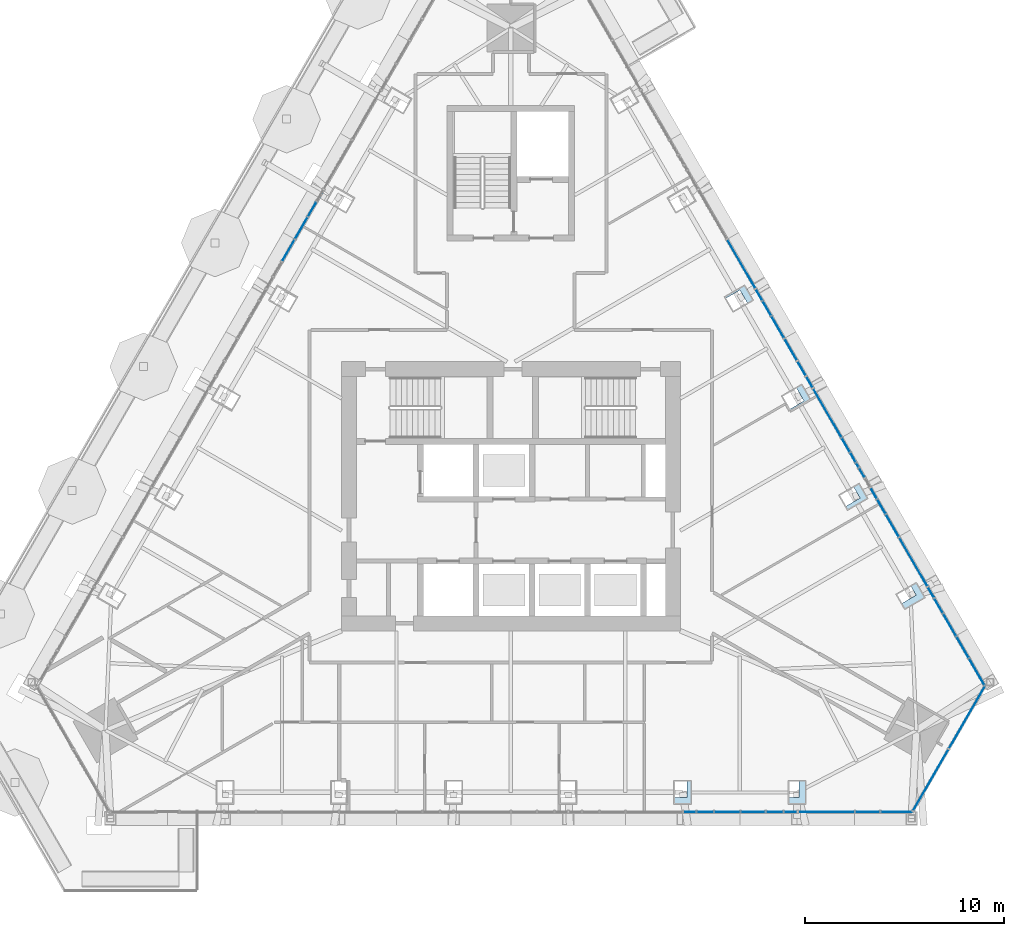
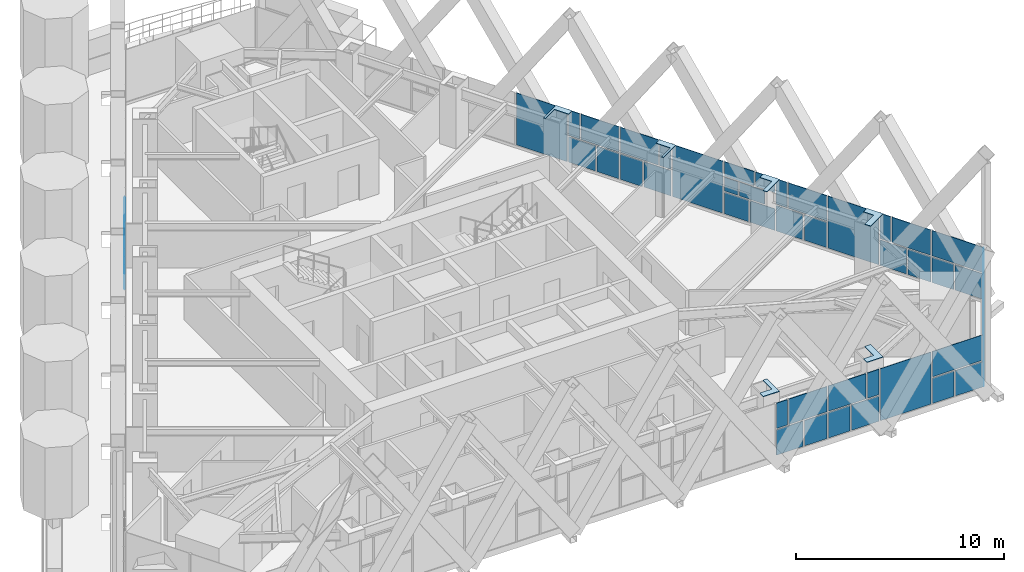
# One storey, part 14 of 24: 52 plates, 4 elements without a shape of their own.
"""IFC4 building model written with IfcOpenShell, lengths in metres."""

import ifcopenshell
import ifcopenshell.guid

model = None  # the IFC model being written
_history = None  # IfcOwnerHistory: only IFC2X3 demands one
_inside = {}  # id of a spatial element -> (the spatial element, [elements in it])
_under = {}  # id of a project, library or spatial element -> (it, [spatial elements below it])
_declared = {}  # id of a project -> (the project, [libraries it declares])
_typed = {}  # id of a type object -> (the type object, [elements of that type])
_made_of = {}  # id of a material, layer set ... -> (it, [elements and type objects made of it])


def new_model(schema):
    """Start an empty IFC model of exactly this schema.

    Asked for "IFC4X3", IfcOpenShell would pick the latest addendum, in which some entities
    have other attributes; the version numbers below select the first issue.
    IFC2X3 requires an IfcOwnerHistory on every rooted entity: one is made here for all.
    """
    global model, _history
    if schema == "IFC4X3":
        model = ifcopenshell.file(schema_version=(4, 3, 0, 0))
    else:
        model = ifcopenshell.file(schema=schema)
    _inside.clear()
    _under.clear()
    _declared.clear()
    _typed.clear()
    _made_of.clear()
    _history = None
    if model.schema == "IFC2X3":
        org = make("IfcOrganization", Name="unknown")
        user = make(
            "IfcPersonAndOrganization",
            ThePerson=make("IfcPerson", FamilyName="unknown"),
            TheOrganization=org,
        )
        app = make(
            "IfcApplication",
            ApplicationDeveloper=org,
            Version="unknown",
            ApplicationFullName="unknown",
            ApplicationIdentifier="unknown",
        )
        _history = make(
            "IfcOwnerHistory",
            OwningUser=user,
            OwningApplication=app,
            ChangeAction="ADDED",
            CreationDate=0,
        )
    return model


def make(cls, **values):
    """One entity of the class cls with the attributes given. An attribute that is None is left unset."""
    return model.create_entity(
        cls, **{name: value for name, value in values.items() if value is not None}
    )


def rooted(cls, **values):
    """An entity with a GlobalId (a new one), such as an element, a storey or a relation."""
    return make(cls, GlobalId=ifcopenshell.guid.new(), OwnerHistory=_history, **values)


def si_unit(unit_type, name, prefix=None):
    """IfcSIUnit, for example si_unit("LENGTHUNIT", "METRE", prefix="MILLI")."""
    return make("IfcSIUnit", UnitType=unit_type, Prefix=prefix, Name=name)


def assignment(units):
    """IfcUnitAssignment: the units of a project."""
    return None if units is None else make("IfcUnitAssignment", Units=units)


def point(xyz):
    """IfcCartesianPoint."""
    return None if xyz is None else make("IfcCartesianPoint", Coordinates=xyz)


def direction(xyz):
    """IfcDirection."""
    return None if xyz is None else make("IfcDirection", DirectionRatios=xyz)


def frame(location, z_axis=None, x_axis=None):
    """IfcAxis2Placement3D, a coordinate frame: its origin and axes. An axis left out is left unset."""
    return make(
        "IfcAxis2Placement3D",
        Location=point(location),
        Axis=direction(z_axis),
        RefDirection=direction(x_axis),
    )


def origin():
    """The frame at (0, 0, 0) with its axes left unset."""
    return frame((0.0, 0.0, 0.0))


def place(relative_to, where):
    """IfcLocalPlacement: puts the frame where relative to a parent placement (None: the world)."""
    return make(
        "IfcLocalPlacement", PlacementRelTo=relative_to, RelativePlacement=where
    )


def context(
    kind, dimensions, precision=None, world=None, true_north=None, identifier=None
):
    """IfcGeometricRepresentationContext, for example the 3D "Model" context."""
    return make(
        "IfcGeometricRepresentationContext",
        ContextIdentifier=identifier,
        ContextType=kind,
        CoordinateSpaceDimension=dimensions,
        Precision=precision,
        WorldCoordinateSystem=world,
        TrueNorth=true_north,
    )


def subcontext(parent, identifier, kind, view, scale=None):
    """IfcGeometricRepresentationSubContext, for example "Body" below "Model"."""
    return make(
        "IfcGeometricRepresentationSubContext",
        ContextIdentifier=identifier,
        ContextType=kind,
        ParentContext=parent,
        TargetScale=scale,
        TargetView=view,
    )


def project(units=None, contexts=None):
    """IfcProject with its units and contexts."""
    return rooted(
        "IfcProject",
        Name="project",
        RepresentationContexts=contexts,
        UnitsInContext=assignment(units),
    )


def spatial(cls, under=None, at=None, **own):
    """A site, building, storey or space (cls), placed at a placement, below another one or the project."""
    s = rooted(cls, ObjectPlacement=at, **own)
    if under is not None:
        _under.setdefault(under.id(), (under, []))[1].append(s)
    return s


def polyline(points):
    """IfcPolyline through the points."""
    return make("IfcPolyline", Points=[point(p) for p in points])


def outline(outer, holes=None, kind="AREA"):
    """IfcArbitraryClosedProfileDef: a profile drawn as a closed curve; with holes, ...WithVoids."""
    if holes is None:
        return make("IfcArbitraryClosedProfileDef", ProfileType=kind, OuterCurve=outer)
    return make(
        "IfcArbitraryProfileDefWithVoids",
        ProfileType=kind,
        OuterCurve=outer,
        InnerCurves=holes,
    )


def extrude(swept, where, along, depth):
    """IfcExtrudedAreaSolid: the profile swept, set in the frame where, extruded along a direction by depth."""
    return make(
        "IfcExtrudedAreaSolid",
        SweptArea=swept,
        Position=where,
        ExtrudedDirection=direction(along),
        Depth=depth,
    )


def shape(context_of_items, identifier, shape_type, items):
    """IfcShapeRepresentation: the items that make up one representation, for example the "Body"."""
    return make(
        "IfcShapeRepresentation",
        ContextOfItems=context_of_items,
        RepresentationIdentifier=identifier,
        RepresentationType=shape_type,
        Items=items,
    )


def material(Name=None, Category=None):
    """IfcMaterial."""
    return make("IfcMaterial", Name=Name, Category=Category)


def layer(
    of_material, thickness, ventilated=None, Name=None, Category=None, Priority=None
):
    """IfcMaterialLayer: one layer of a wall or slab, of a material (None: an air gap)."""
    return make(
        "IfcMaterialLayer",
        Material=of_material,
        LayerThickness=thickness,
        IsVentilated=ventilated,
        Name=Name,
        Category=Category,
        Priority=Priority,
    )


def layer_set(layers, Name=None):
    """IfcMaterialLayerSet."""
    return make("IfcMaterialLayerSet", MaterialLayers=layers, LayerSetName=Name)


def made_of(thing, what):
    """Note that an element or type object is made of a material, layer set ...; save() writes the relation."""
    if what is not None:
        _made_of.setdefault(what.id(), (what, []))[1].append(thing)
    return thing


def type_object(cls, material=None, **own):
    """A type object (cls), such as IfcWallType, which elements share."""
    return made_of(rooted(cls, **own), material)


def element(
    cls,
    number,
    at=None,
    inside=None,
    cuts=None,
    type_object=None,
    material=None,
    context=None,
    identifier="Body",
    shape_type=None,
    held_by="IfcProductDefinitionShape",
    body=None,
    shapes=None,
    **own,
):
    """One element of the class cls, such as IfcWall. Its Tag is "e" and its number.

    at: its placement. inside: the storey or other place that contains it. cuts: it is an
    opening in that element (IfcRelVoidsElement). A single representation is given by context,
    identifier, shape_type and body (its items); several are given by shapes. held_by: the class
    of the entity that holds the representations. save() writes the other relations.
    """
    e = rooted(cls, Tag="e%d" % number, ObjectPlacement=at, **own)
    if body is not None:
        shapes = [shape(context, identifier, shape_type, body)]
    if shapes is not None:
        e.Representation = make(held_by, Representations=shapes)
    if inside is not None:
        _inside.setdefault(inside.id(), (inside, []))[1].append(e)
    if cuts is not None:
        rooted(
            "IfcRelVoidsElement", RelatingBuildingElement=cuts, RelatedOpeningElement=e
        )
    if type_object is not None:
        _typed.setdefault(type_object.id(), (type_object, []))[1].append(e)
    return made_of(e, material)


def aggregate(whole, parts):
    """IfcRelAggregates: a whole, such as a stair, and the parts it consists of."""
    return rooted("IfcRelAggregates", RelatingObject=whole, RelatedObjects=parts)


def save(model, path):
    """Write the relations noted so far, then the file.

    IfcRelAggregates (storeys below a building ...), IfcRelContainedInSpatialStructure (elements
    in a storey), IfcRelDefinesByType, IfcRelAssociatesMaterial and IfcRelDeclares: one each for
    every whole, place, type object, material and project.
    """
    for whole, parts in _under.values():
        aggregate(whole, parts)
    for where, things in _inside.values():
        rooted(
            "IfcRelContainedInSpatialStructure",
            RelatedElements=things,
            RelatingStructure=where,
        )
    for kind, things in _typed.values():
        rooted("IfcRelDefinesByType", RelatedObjects=things, RelatingType=kind)
    for what, things in _made_of.values():
        rooted("IfcRelAssociatesMaterial", RelatedObjects=things, RelatingMaterial=what)
    for by, libraries in _declared.values():
        rooted("IfcRelDeclares", RelatingContext=by, RelatedDefinitions=libraries)
    model.write(path)


model = new_model("IFC4")

# Units and contexts
model_context = context("Model", 3, precision=1e-05, world=origin(), true_north=direction((0.0, 1.0)))
body_context = subcontext(model_context, "Body", "Model", "MODEL_VIEW")
ifc_project = project(units=[si_unit("LENGTHUNIT", "METRE"), si_unit("AREAUNIT", "SQUARE_METRE"), si_unit("VOLUMEUNIT", "CUBIC_METRE"), si_unit("PLANEANGLEUNIT", "RADIAN"), si_unit("MASSUNIT", "GRAM", prefix="KILO")], contexts=[model_context])

# Site, building, storey
site_placement = place(None, origin())
site = spatial("IfcSite", under=ifc_project, at=site_placement, CompositionType="ELEMENT")
building_placement = place(site_placement, origin())
building = spatial("IfcBuilding", under=site, at=building_placement, Name="Firuza Gate Tower and Library", CompositionType="ELEMENT")
storey_placement = place(building_placement, frame((0.0, 0.0, 323.10009765625)))
storey = spatial("IfcBuildingStorey", under=building, at=storey_placement, Name="L79", CompositionType="ELEMENT", Elevation=323.10009765625)

# Plates
ifc_material_1 = material(Name="Steel S355", Category="steel")
ifc_layer_1 = layer(ifc_material_1, 0.030029296875)
ifc_layer_set_1 = layer_set([ifc_layer_1], Name="Column infill plate 30 Steel S355")
plate_type_1 = type_object("IfcPlateType", Name="Column infill plate 30 Steel S355", PredefinedType="SHEET", material=ifc_layer_set_1)
placement_1 = place(storey_placement, frame((0.0, 0.0, 3.5)))
element("IfcPlate", 1, at=placement_1, inside=storey, type_object=plate_type_1, Name="Infill plate L79:S5", PredefinedType="SHEET", context=body_context, shape_type="SweptSolid", body=[
    extrude(outline(polyline([(84.06591796875, 60.736083984375), (83.840087890625, 60.736083984375), (83.840087890625, 59.873046875), (83.166015625, 59.873046875), (83.166015625, 59.5361328125), (84.06591796875, 59.5361328125), (84.06591796875, 60.736083984375)])), origin(), (0.0, 0.0, 1.0), 0.02978515625),
])
element("IfcPlate", 2, at=placement_1, inside=storey, type_object=plate_type_1, Name="Infill plate L79:S6", PredefinedType="SHEET", context=body_context, shape_type="SweptSolid", body=[
    extrude(outline(polyline([(89.81005859375, 60.736083984375), (89.466552734375, 60.736083984375), (89.466552734375, 59.873046875), (88.909912109375, 59.873046875), (88.909912109375, 59.5361328125), (89.81005859375, 59.5361328125), (89.81005859375, 60.736083984375)])), origin(), (0.0, 0.0, 1.0), 0.02978515625),
])
element("IfcPlate", 3, at=placement_1, inside=storey, type_object=plate_type_1, Name="Infill plate L79:E1", PredefinedType="SHEET", context=body_context, shape_type="SweptSolid", body=[
    extrude(outline(polyline([(95.34716796875, 70.685546875), (95.05517578125, 70.51708984375), (95.33349609375, 70.034912109375), (94.586181640625, 69.603515625), (94.758056640625, 69.30615234375), (95.797119140625, 69.90625), (95.34716796875, 70.685546875)])), origin(), (0.0, 0.0, 1.0), 0.02978515625),
])
element("IfcPlate", 4, at=placement_1, inside=storey, type_object=plate_type_1, Name="Infill plate L79:E2", PredefinedType="SHEET", context=body_context, shape_type="SweptSolid", body=[
    extrude(outline(polyline([(92.47509765625, 75.659912109375), (92.183349609375, 75.491455078125), (92.520263671875, 74.90771484375), (91.77294921875, 74.476318359375), (91.885986328125, 74.280517578125), (92.92529296875, 74.880615234375), (92.47509765625, 75.659912109375)])), origin(), (0.0, 0.0, 1.0), 0.02978515625),
])
element("IfcPlate", 5, at=placement_1, inside=storey, type_object=plate_type_1, Name="Infill plate L79:E3", PredefinedType="SHEET", context=body_context, shape_type="SweptSolid", body=[
    extrude(outline(polyline([(89.603271484375, 80.634521484375), (89.311279296875, 80.4658203125), (89.70703125, 79.780517578125), (88.959716796875, 79.34912109375), (89.013916015625, 79.255126953125), (90.05322265625, 79.85498046875), (89.603271484375, 80.634521484375)])), origin(), (0.0, 0.0, 1.0), 0.02978515625),
])
element("IfcPlate", 6, at=placement_1, inside=storey, type_object=plate_type_1, Name="Infill plate L79:E4", PredefinedType="SHEET", context=body_context, shape_type="SweptSolid", body=[
    extrude(outline(polyline([(85.69189453125, 85.009033203125), (85.746337890625, 84.914794921875), (86.49365234375, 85.34619140625), (86.88916015625, 84.660888671875), (87.18115234375, 84.82958984375), (86.731201171875, 85.60888671875), (85.69189453125, 85.009033203125)])), origin(), (0.0, 0.0, 1.0), 0.02978515625),
])

# Curtain wall, plates
ifc_material_2 = material(Name="Aluminium 6063-T6", Category="aluminium")
ifc_layer_2 = layer(ifc_material_2, 0.14990234375)
ifc_layer_set_2 = layer_set([ifc_layer_2], Name="Corner curtain wall, chamfers")
curtain_wall_type_1 = type_object("IfcCurtainWallType", Name="Corner curtain wall, chamfers", PredefinedType="NOTDEFINED", material=ifc_layer_set_2)
placement_2 = place(storey_placement, origin())
curtain_wall_1 = element("IfcCurtainWall", 7, at=placement_2, inside=storey, type_object=curtain_wall_type_1, Name="CW4 L79 SE corner", PredefinedType="NOTDEFINED")
ifc_material_3 = material(Name="Fritted glass", Category="glass")
ifc_layer_3 = layer(ifc_material_3, 0.030029296875)
ifc_layer_set_3 = layer_set([ifc_layer_3], Name="Fritted glass unit, corners")
plate_type_2 = type_object("IfcPlateType", Name="Fritted glass unit, corners", PredefinedType="CURTAIN_PANEL", material=ifc_layer_set_3)
plate_7_placement = place(storey_placement, frame((95.18017578125, 59.188232421875, 0.14990234375), z_axis=(0.866016723041, -0.500015035186, 0.0), x_axis=(0.500015035186, 0.866016723041, 0.0)))
plate_7 = element("IfcPlate", 8, at=plate_7_placement, type_object=plate_type_2, Name="Glass unit", PredefinedType="CURTAIN_PANEL", context=body_context, shape_type="SweptSolid", body=[
    extrude(outline(polyline([(0.0, 0.0), (3.5633694106530625, 0.0), (3.5633694106530625, 3.050048828125), (0.0, 3.050048828125), (0.0, 0.0)])), origin(), (0.0, 0.0, -1.0), 0.030029296875),
])
plate_8_placement = place(storey_placement, frame((97.001953125, 62.34326171875, 0.14990234375), z_axis=(0.866016723041, -0.500015035186, 0.0), x_axis=(0.500015035186, 0.866016723041, 0.0)))
plate_8 = element("IfcPlate", 9, at=plate_8_placement, type_object=plate_type_2, Name="Glass unit", PredefinedType="CURTAIN_PANEL", context=body_context, shape_type="SweptSolid", body=[
    extrude(outline(polyline([(0.0, 0.0), (3.5633694106530625, 0.0), (3.5633694106530625, 3.050048828125), (0.0, 3.050048828125), (0.0, 0.0)])), origin(), (0.0, 0.0, -1.0), 0.030029296875),
])
aggregate(curtain_wall_1, [plate_7, plate_8])

ifc_material_4 = material(Name="Aluminium 6063-T6", Category="aluminium")
ifc_layer_4 = layer(ifc_material_4, 0.14990234375)
ifc_layer_set_4 = layer_set([ifc_layer_4], Name="Unitised curtain wall, residences")
curtain_wall_type_2 = type_object("IfcCurtainWallType", Name="Unitised curtain wall, residences", PredefinedType="NOTDEFINED", material=ifc_layer_set_4)
curtain_wall_2 = element("IfcCurtainWall", 10, at=placement_2, inside=storey, type_object=curtain_wall_type_2, Name="CW3 L79 S face", PredefinedType="NOTDEFINED")
ifc_material_5 = material(Name="Fritted glass", Category="glass")
ifc_layer_5 = layer(ifc_material_5, 0.030029296875)
ifc_layer_set_5 = layer_set([ifc_layer_5], Name="Fritted glass unit, residences")
plate_type_3 = type_object("IfcPlateType", Name="Fritted glass unit, residences", PredefinedType="CURTAIN_PANEL", material=ifc_layer_set_5)
plate_9_placement = place(storey_placement, frame((85.228271484375, 59.14599609375, 0.14990234375), z_axis=(0.0, -1.0, 0.0), x_axis=(1.0, 0.0, 0.0)))
plate_9 = element("IfcPlate", 11, at=plate_9_placement, type_object=plate_type_3, Name="Glass unit", PredefinedType="CURTAIN_PANEL", context=body_context, shape_type="SweptSolid", body=[
    extrude(outline(polyline([(0.0, 0.0), (1.244384765625, 0.0), (1.244384765625, 1.485107421875), (0.0, 1.485107421875), (0.0, 0.0)])), origin(), (0.0, 0.0, -1.0), 0.030029296875),
])
plate_10_placement = place(storey_placement, frame((83.674560546875, 59.14599609375, 1.71484375), z_axis=(0.0, -1.0, 0.0), x_axis=(1.0, 0.0, 0.0)))
plate_10 = element("IfcPlate", 12, at=plate_10_placement, type_object=plate_type_3, Name="Glass unit", PredefinedType="CURTAIN_PANEL", context=body_context, shape_type="SweptSolid", body=[
    extrude(outline(polyline([(0.0, 0.0), (0.593017578125, 0.0), (0.593017578125, 1.485107421875), (0.0, 1.485107421875), (0.0, 0.0)])), origin(), (0.0, 0.0, -1.0), 0.030029296875),
])
plate_11_placement = place(storey_placement, frame((86.552734375, 59.14599609375, 0.14990234375), z_axis=(0.0, -1.0, 0.0), x_axis=(1.0, 0.0, 0.0)))
plate_11 = element("IfcPlate", 13, at=plate_11_placement, type_object=plate_type_3, Name="Glass unit", PredefinedType="CURTAIN_PANEL", context=body_context, shape_type="SweptSolid", body=[
    extrude(outline(polyline([(0.0, 0.0), (1.195068359375, 0.0), (1.195068359375, 1.485107421875), (0.0, 1.485107421875), (0.0, 0.0)])), origin(), (0.0, 0.0, -1.0), 0.030029296875),
])
plate_12_placement = place(storey_placement, frame((88.70849609375, 59.14599609375, 1.71484375), z_axis=(0.0, -1.0, 0.0), x_axis=(1.0, 0.0, 0.0)))
plate_12 = element("IfcPlate", 14, at=plate_12_placement, type_object=plate_type_3, Name="Glass unit", PredefinedType="CURTAIN_PANEL", context=body_context, shape_type="SweptSolid", body=[
    extrude(outline(polyline([(0.0, 0.0), (0.642333984375, 0.0), (0.642333984375, 1.485107421875), (0.0, 1.485107421875), (0.0, 0.0)])), origin(), (0.0, 0.0, -1.0), 0.030029296875),
])
plate_13_placement = place(storey_placement, frame((92.30908203125, 59.14599609375, 0.14990234375), z_axis=(0.0, -1.0, 0.0), x_axis=(1.0, 0.0, 0.0)))
plate_13 = element("IfcPlate", 15, at=plate_13_placement, type_object=plate_type_3, Name="Glass unit", PredefinedType="CURTAIN_PANEL", context=body_context, shape_type="SweptSolid", body=[
    extrude(outline(polyline([(0.0, 0.0), (1.1826171875, 0.0), (1.1826171875, 1.485107421875), (0.0, 1.485107421875), (0.0, 0.0)])), origin(), (0.0, 0.0, -1.0), 0.030029296875),
])

curtain_wall_3 = element("IfcCurtainWall", 16, at=placement_2, inside=storey, type_object=curtain_wall_type_2, Name="CW3 L79 E face", PredefinedType="NOTDEFINED")
plate_14_placement = place(storey_placement, frame((97.975830078125, 66.91259765625, 0.14990234375), z_axis=(0.866024007411, 0.500002418582, 0.0), x_axis=(-0.500002418582, 0.866024007411, 0.0)))
plate_14 = element("IfcPlate", 17, at=plate_14_placement, type_object=plate_type_3, Name="Glass unit", PredefinedType="CURTAIN_PANEL", context=body_context, shape_type="SweptSolid", body=[
    extrude(outline(polyline([(0.0, 0.0), (1.1826114670152856, 0.0), (1.1826114670152856, 1.485107421875), (0.0, 1.485107421875), (0.0, 0.0)])), origin(), (0.0, 0.0, -1.0), 0.030029296875),
])
plate_15_placement = place(storey_placement, frame((97.344482421875, 68.006103515625, 0.14990234375), z_axis=(0.866010893236, 0.500025132165, 0.0), x_axis=(-0.500025132165, 0.866010893236, 0.0)))
plate_15 = element("IfcPlate", 18, at=plate_15_placement, type_object=plate_type_3, Name="Glass unit", PredefinedType="CURTAIN_PANEL", context=body_context, shape_type="SweptSolid", body=[
    extrude(outline(polyline([(0.0, 0.0), (1.2567727666598376, 0.0), (1.2567727666598376, 1.485107421875), (0.0, 1.485107421875), (0.0, 0.0)])), origin(), (0.0, 0.0, -1.0), 0.030029296875),
])
plate_16_placement = place(storey_placement, frame((96.235595703125, 69.926513671875, 1.71484375), z_axis=(0.86608757774, 0.499892296084, 0.0), x_axis=(-0.499892296084, 0.86608757774, 0.0)))
plate_16 = element("IfcPlate", 19, at=plate_16_placement, type_object=plate_type_3, Name="Glass unit", PredefinedType="CURTAIN_PANEL", context=body_context, shape_type="SweptSolid", body=[
    extrude(outline(polyline([(0.0, 0.0), (0.5806914917452792, 0.0), (0.5806914917452792, 1.485107421875), (0.0, 1.485107421875), (0.0, 0.0)])), origin(), (0.0, 0.0, -1.0), 0.030029296875),
])
plate_17_placement = place(storey_placement, frame((94.46630859375, 72.9912109375, 0.14990234375), z_axis=(0.866025525965, 0.499999788377, 0.0), x_axis=(-0.499999788377, 0.866025525965, 0.0)))
plate_17 = element("IfcPlate", 20, at=plate_17_placement, type_object=plate_type_3, Name="Glass unit", PredefinedType="CURTAIN_PANEL", context=body_context, shape_type="SweptSolid", body=[
    extrude(outline(polyline([(0.0, 0.0), (1.2446294330342895, 0.0), (1.2446294330342895, 1.485107421875), (0.0, 1.485107421875), (0.0, 0.0)])), origin(), (0.0, 0.0, -1.0), 0.030029296875),
])
plate_18_placement = place(storey_placement, frame((93.36376953125, 74.901123046875, 1.71484375), z_axis=(0.865876963139, 0.500257018647, 0.0), x_axis=(-0.500257018647, 0.865876963139, 0.0)))
plate_18 = element("IfcPlate", 21, at=plate_18_placement, type_object=plate_type_3, Name="Glass unit", PredefinedType="CURTAIN_PANEL", context=body_context, shape_type="SweptSolid", body=[
    extrude(outline(polyline([(0.0, 0.0), (0.592956916781478, 0.0), (0.592956916781478, 1.485107421875), (0.0, 1.485107421875), (0.0, 0.0)])), origin(), (0.0, 0.0, -1.0), 0.030029296875),
])
plate_19_placement = place(storey_placement, frame((92.307861328125, 76.72998046875, 0.14990234375), z_axis=(0.866024081565, 0.500002290144, 0.0), x_axis=(-0.500002290144, 0.866024081565, 0.0)))
plate_19 = element("IfcPlate", 22, at=plate_19_placement, type_object=plate_type_3, Name="Glass unit", PredefinedType="CURTAIN_PANEL", context=body_context, shape_type="SweptSolid", body=[
    extrude(outline(polyline([(0.0, 0.0), (1.35936877369825, 0.0), (1.35936877369825, 1.260009765625), (0.0, 1.260009765625), (0.0, 0.0)])), origin(), (0.0, 0.0, -1.0), 0.030029296875),
])
plate_20_placement = place(storey_placement, frame((92.01220703125, 77.241943359375, 1.489990234375), z_axis=(0.866063863968, 0.499933379091, 0.0), x_axis=(-0.499933379091, 0.866063863968, 0.0)))
plate_20 = element("IfcPlate", 23, at=plate_20_placement, type_object=plate_type_3, Name="Glass unit", PredefinedType="CURTAIN_PANEL", context=body_context, shape_type="SweptSolid", body=[
    extrude(outline(polyline([(0.0, 0.0), (0.7681687584526642, 0.0), (0.7681687584526642, 0.794921875), (0.0, 0.794921875), (0.0, 0.0)])), origin(), (0.0, 0.0, -1.0), 0.030029296875),
])
plate_21_placement = place(storey_placement, frame((93.027099609375, 75.48388671875, 2.364990234375), z_axis=(0.866113347942, 0.499847645306, 0.0), x_axis=(-0.499847645306, 0.866113347942, 0.0)))
plate_21 = element("IfcPlate", 24, at=plate_21_placement, type_object=plate_type_3, Name="Glass unit", PredefinedType="CURTAIN_PANEL", context=body_context, shape_type="SweptSolid", body=[
    extrude(outline(polyline([(0.0, 0.0), (1.0691734434365472, 0.0), (1.0691734434365472, 0.8349609374999999), (0.0, 0.8349609374999999), (0.0, 0.0)])), origin(), (0.0, 0.0, -1.0), 0.030029296875),
])
plate_22_placement = place(storey_placement, frame((89.35986328125, 81.8359375, 0.14990234375), z_axis=(0.866042269935, 0.499970785833, 0.0), x_axis=(-0.499970785833, 0.866042269935, 0.0)))
plate_22 = element("IfcPlate", 25, at=plate_22_placement, type_object=plate_type_3, Name="Glass unit", PredefinedType="CURTAIN_PANEL", context=body_context, shape_type="SweptSolid", body=[
    extrude(outline(polyline([(0.0, 0.0), (1.219797833256346, 0.0), (1.219797833256346, 1.485107421875), (0.0, 1.485107421875), (0.0, 0.0)])), origin(), (0.0, 0.0, -1.0), 0.030029296875),
])
plate_23_placement = place(storey_placement, frame((90.14892578125, 80.468994140625, 1.71484375), z_axis=(0.866021029023, 0.500007577232, 0.0), x_axis=(-0.500007577232, 0.866021029023, 0.0)))
plate_23 = element("IfcPlate", 26, at=plate_23_placement, type_object=plate_type_3, Name="Glass unit", PredefinedType="CURTAIN_PANEL", context=body_context, shape_type="SweptSolid", body=[
    extrude(outline(polyline([(0.0, 0.0), (0.6176664208468123, 0.0), (0.6176664208468123, 1.485107421875), (0.0, 1.485107421875), (0.0, 0.0)])), origin(), (0.0, 0.0, -1.0), 0.030029296875),
])
plate_24_placement = place(storey_placement, frame((88.7099609375, 82.961669921875, 0.14990234375), z_axis=(0.865992225662, 0.50005746179, 0.0), x_axis=(-0.50005746179, 0.865992225662, 0.0)))
plate_24 = element("IfcPlate", 27, at=plate_24_placement, type_object=plate_type_3, Name="Glass unit", PredefinedType="CURTAIN_PANEL", context=body_context, shape_type="SweptSolid", body=[
    extrude(outline(polyline([(0.0, 0.0), (1.219586403263678, 0.0), (1.219586403263678, 1.485107421875), (0.0, 1.485107421875), (0.0, 0.0)])), origin(), (0.0, 0.0, -1.0), 0.030029296875),
])
plate_25_placement = place(storey_placement, frame((87.61962890625, 84.85009765625, 1.71484375), z_axis=(0.866021029023, 0.500007577232, 0.0), x_axis=(-0.500007577232, 0.866021029023, 0.0)))
plate_25 = element("IfcPlate", 28, at=plate_25_placement, type_object=plate_type_3, Name="Glass unit", PredefinedType="CURTAIN_PANEL", context=body_context, shape_type="SweptSolid", body=[
    extrude(outline(polyline([(0.0, 0.0), (0.6176664208468123, 0.0), (0.6176664208468123, 1.485107421875), (0.0, 1.485107421875), (0.0, 0.0)])), origin(), (0.0, 0.0, -1.0), 0.030029296875),
])

curtain_wall_4 = element("IfcCurtainWall", 29, at=placement_2, inside=storey, type_object=curtain_wall_type_2, Name="CW3 L79 W face", PredefinedType="NOTDEFINED")
plate_26_placement = place(storey_placement, frame((64.77197265625, 88.992431640625, 0.14990234375), z_axis=(-0.866007122271, 0.500031663174, 0.0), x_axis=(-0.500031663174, -0.866007122271, 0.0)))
plate_26 = element("IfcPlate", 30, at=plate_26_placement, type_object=plate_type_3, Name="Glass unit", PredefinedType="CURTAIN_PANEL", context=body_context, shape_type="SweptSolid", body=[
    extrude(outline(polyline([(0.0, 0.0), (1.2074430682896422, 0.0), (1.2074430682896422, 1.485107421875), (0.0, 1.485107421875), (0.0, 0.0)])), origin(), (0.0, 0.0, -1.0), 0.030029296875),
])
plate_27_placement = place(storey_placement, frame((64.128173828125, 87.87744140625, 0.14990234375), z_axis=(-0.86602717807, 0.499996926835, 0.0), x_axis=(-0.499996926835, -0.86602717807, 0.0)))
plate_27 = element("IfcPlate", 31, at=plate_27_placement, type_object=plate_type_3, Name="Glass unit", PredefinedType="CURTAIN_PANEL", context=body_context, shape_type="SweptSolid", body=[
    extrude(outline(polyline([(0.0, 0.0), (1.2319411656664472, 0.0), (1.2319411656664472, 1.485107421875), (0.0, 1.485107421875), (0.0, 0.0)])), origin(), (0.0, 0.0, -1.0), 0.030029296875),
])

# Plate
ifc_material_6 = material(Name="Glazed ceramic tile")
ifc_layer_6 = layer(ifc_material_6, 0.030029296875)
ifc_layer_set_6 = layer_set([ifc_layer_6], Name="Opaque ceramic panel, residences")
plate_type_4 = type_object("IfcPlateType", Name="Opaque ceramic panel, residences", PredefinedType="CURTAIN_PANEL", material=ifc_layer_set_6)
plate_28_placement = place(storey_placement, frame((83.674560546875, 59.14599609375, 0.14990234375), z_axis=(0.0, -1.0, 0.0), x_axis=(1.0, 0.0, 0.0)))
plate_28 = element("IfcPlate", 32, at=plate_28_placement, type_object=plate_type_4, Name="Opaque ceramic panel", PredefinedType="CURTAIN_PANEL", context=body_context, shape_type="SweptSolid", body=[
    extrude(outline(polyline([(0.0, 0.0), (1.4736328125, 0.0), (1.4736328125, 1.485107421875), (0.0, 1.485107421875), (0.0, 0.0)])), origin(), (0.0, 0.0, -1.0), 0.030029296875),
])

plate_29_placement = place(storey_placement, frame((84.347412109375, 59.14599609375, 1.71484375), z_axis=(0.0, -1.0, 0.0), x_axis=(1.0, 0.0, 0.0)))
plate_29 = element("IfcPlate", 33, at=plate_29_placement, type_object=plate_type_4, Name="Opaque ceramic panel", PredefinedType="CURTAIN_PANEL", context=body_context, shape_type="SweptSolid", body=[
    extrude(outline(polyline([(0.0, 0.0), (2.125244140625, 0.0), (2.125244140625, 1.485107421875), (0.0, 1.485107421875), (0.0, 0.0)])), origin(), (0.0, 0.0, -1.0), 0.030029296875),
])

plate_30_placement = place(storey_placement, frame((87.82763671875, 59.14599609375, 0.14990234375), z_axis=(0.0, -1.0, 0.0), x_axis=(1.0, 0.0, 0.0)))
plate_30 = element("IfcPlate", 34, at=plate_30_placement, type_object=plate_type_4, Name="Opaque ceramic panel", PredefinedType="CURTAIN_PANEL", context=body_context, shape_type="SweptSolid", body=[
    extrude(outline(polyline([(0.0, 0.0), (1.523193359375, 0.0), (1.523193359375, 1.485107421875), (0.0, 1.485107421875), (0.0, 0.0)])), origin(), (0.0, 0.0, -1.0), 0.030029296875),
])

plate_31_placement = place(storey_placement, frame((86.552734375, 59.14599609375, 1.71484375), z_axis=(0.0, -1.0, 0.0), x_axis=(1.0, 0.0, 0.0)))
plate_31 = element("IfcPlate", 35, at=plate_31_placement, type_object=plate_type_4, Name="Opaque ceramic panel", PredefinedType="CURTAIN_PANEL", context=body_context, shape_type="SweptSolid", body=[
    extrude(outline(polyline([(0.0, 0.0), (2.07568359375, 0.0), (2.07568359375, 1.485107421875), (0.0, 1.485107421875), (0.0, 0.0)])), origin(), (0.0, 0.0, -1.0), 0.030029296875),
])

plate_32_placement = place(storey_placement, frame((89.430908203125, 59.14599609375, 0.14990234375), z_axis=(0.0, -1.0, 0.0), x_axis=(1.0, 0.0, 0.0)))
plate_32 = element("IfcPlate", 36, at=plate_32_placement, type_object=plate_type_4, Name="Opaque ceramic panel", PredefinedType="CURTAIN_PANEL", context=body_context, shape_type="SweptSolid", body=[
    extrude(outline(polyline([(0.0, 0.0), (2.798095703125, 0.0), (2.798095703125, 3.050048828125), (0.0, 3.050048828125), (0.0, 0.0)])), origin(), (0.0, 0.0, -1.0), 0.030029296875),
])

plate_33_placement = place(storey_placement, frame((93.57177734375, 59.14599609375, 0.14990234375), z_axis=(0.0, -1.0, 0.0), x_axis=(1.0, 0.0, 0.0)))
plate_33 = element("IfcPlate", 37, at=plate_33_placement, type_object=plate_type_4, Name="Opaque ceramic panel", PredefinedType="CURTAIN_PANEL", context=body_context, shape_type="SweptSolid", body=[
    extrude(outline(polyline([(0.0, 0.0), (1.53564453125, 0.0), (1.53564453125, 1.485107421875), (0.0, 1.485107421875), (0.0, 0.0)])), origin(), (0.0, 0.0, -1.0), 0.030029296875),
])

plate_34_placement = place(storey_placement, frame((92.30908203125, 59.14599609375, 1.71484375), z_axis=(0.0, -1.0, 0.0), x_axis=(1.0, 0.0, 0.0)))
plate_34 = element("IfcPlate", 38, at=plate_34_placement, type_object=plate_type_4, Name="Opaque ceramic panel", PredefinedType="CURTAIN_PANEL", context=body_context, shape_type="SweptSolid", body=[
    extrude(outline(polyline([(0.0, 0.0), (2.79833984375, 0.0), (2.79833984375, 1.485107421875), (0.0, 1.485107421875), (0.0, 0.0)])), origin(), (0.0, 0.0, -1.0), 0.030029296875),
])

aggregate(curtain_wall_2, [plate_28, plate_9, plate_10, plate_29, plate_11, plate_30, plate_31, plate_12, plate_32, plate_13, plate_33, plate_34])

plate_35_placement = place(storey_placement, frame((98.78369140625, 65.513671875, 0.14990234375), z_axis=(0.866013487713, 0.500020638674, 0.0), x_axis=(-0.500020638674, 0.866013487713, 0.0)))
plate_35 = element("IfcPlate", 39, at=plate_35_placement, type_object=plate_type_4, Name="Opaque ceramic panel", PredefinedType="CURTAIN_PANEL", context=body_context, shape_type="SweptSolid", body=[
    extrude(outline(polyline([(0.0, 0.0), (1.5355811465331932, 0.0), (1.5355811465331932, 1.485107421875), (0.0, 1.485107421875), (0.0, 0.0)])), origin(), (0.0, 0.0, -1.0), 0.030029296875),
])

plate_36_placement = place(storey_placement, frame((98.78369140625, 65.513671875, 1.71484375), z_axis=(0.865995230276, 0.500052258409, 0.0), x_axis=(-0.500052258409, 0.865995230276, 0.0)))
plate_36 = element("IfcPlate", 40, at=plate_36_placement, type_object=plate_type_4, Name="Opaque ceramic panel", PredefinedType="CURTAIN_PANEL", context=body_context, shape_type="SweptSolid", body=[
    extrude(outline(polyline([(0.0, 0.0), (2.798047400739046, 0.0), (2.798047400739046, 1.485107421875), (0.0, 1.485107421875), (0.0, 0.0)])), origin(), (0.0, 0.0, -1.0), 0.030029296875),
])

plate_37_placement = place(storey_placement, frame((96.676025390625, 69.163818359375, 0.14990234375), z_axis=(0.866024231582, 0.500002030309, 0.0), x_axis=(-0.500002030309, 0.866024231582, 0.0)))
plate_37 = element("IfcPlate", 41, at=plate_37_placement, type_object=plate_type_4, Name="Opaque ceramic panel", PredefinedType="CURTAIN_PANEL", context=body_context, shape_type="SweptSolid", body=[
    extrude(outline(polyline([(0.0, 0.0), (1.4614198469811963, 0.0), (1.4614198469811963, 1.485107421875), (0.0, 1.485107421875), (0.0, 0.0)])), origin(), (0.0, 0.0, -1.0), 0.030029296875),
])

plate_38_placement = place(storey_placement, frame((97.344482421875, 68.006103515625, 1.71484375), z_axis=(0.866027732573, 0.499995966399, 0.0), x_axis=(-0.499995966399, 0.866027732573, 0.0)))
plate_38 = element("IfcPlate", 42, at=plate_38_placement, type_object=plate_type_4, Name="Opaque ceramic panel", PredefinedType="CURTAIN_PANEL", context=body_context, shape_type="SweptSolid", body=[
    extrude(outline(polyline([(0.0, 0.0), (2.137712557859466, 0.0), (2.137712557859466, 1.485107421875), (0.0, 1.485107421875), (0.0, 0.0)])), origin(), (0.0, 0.0, -1.0), 0.030029296875),
])

plate_39_placement = place(storey_placement, frame((95.905517578125, 70.498779296875, 0.14990234375), z_axis=(0.866017045845, 0.500014476097, 0.0), x_axis=(-0.500014476097, 0.866017045845, 0.0)))
plate_39 = element("IfcPlate", 43, at=plate_39_placement, type_object=plate_type_4, Name="Opaque ceramic panel", PredefinedType="CURTAIN_PANEL", context=body_context, shape_type="SweptSolid", body=[
    extrude(outline(polyline([(0.0, 0.0), (2.7982588280189464, 0.0), (2.7982588280189464, 3.050048828125), (0.0, 3.050048828125), (0.0, 0.0)])), origin(), (0.0, 0.0, -1.0), 0.030029296875),
])

plate_40_placement = place(storey_placement, frame((93.80419921875, 74.13818359375, 0.14990234375), z_axis=(0.865981447571, 0.500076126667, 0.0), x_axis=(-0.500076126667, 0.865981447571, 0.0)))
plate_40 = element("IfcPlate", 44, at=plate_40_placement, type_object=plate_type_4, Name="Opaque ceramic panel", PredefinedType="CURTAIN_PANEL", context=body_context, shape_type="SweptSolid", body=[
    extrude(outline(polyline([(0.0, 0.0), (1.4738966880641038, 0.0), (1.4738966880641038, 1.4851074218749998), (0.0, 1.4851074218749998), (0.0, 0.0)])), origin(), (0.0, 0.0, -1.0), 0.030029296875),
])

plate_41_placement = place(storey_placement, frame((94.46630859375, 72.9912109375, 1.71484375), z_axis=(0.866057420673, 0.499944541022, 0.0), x_axis=(-0.499944541022, 0.866057420673, 0.0)))
plate_41 = element("IfcPlate", 45, at=plate_41_placement, type_object=plate_type_4, Name="Opaque ceramic panel", PredefinedType="CURTAIN_PANEL", context=body_context, shape_type="SweptSolid", body=[
    extrude(outline(polyline([(0.0, 0.0), (2.1252357268016246, 0.0), (2.1252357268016246, 1.485107421875), (0.0, 1.485107421875), (0.0, 0.0)])), origin(), (0.0, 0.0, -1.0), 0.030029296875),
])

plate_42_placement = place(storey_placement, frame((93.027099609375, 75.48388671875, 0.14990234375), z_axis=(0.866089843618, 0.499888370321, 0.0), x_axis=(-0.499888370321, 0.866089843618, 0.0)))
plate_42 = element("IfcPlate", 46, at=plate_42_placement, type_object=plate_type_4, Name="Opaque ceramic panel", PredefinedType="CURTAIN_PANEL", context=body_context, shape_type="SweptSolid", body=[
    extrude(outline(polyline([(0.0, 0.0), (1.358701780388322, 0.0), (1.358701780388322, 1.260009765625), (0.0, 1.260009765625), (0.0, 0.0)])), origin(), (0.0, 0.0, -1.0), 0.030029296875),
])

plate_43_placement = place(storey_placement, frame((92.748291015625, 75.967041015625, 1.489990234375), z_axis=(0.866022034189, 0.500005836264, 0.0), x_axis=(-0.500005836264, 0.866022034189, 0.0)))
plate_43 = element("IfcPlate", 47, at=plate_43_placement, type_object=plate_type_4, Name="Opaque ceramic panel", PredefinedType="CURTAIN_PANEL", context=body_context, shape_type="SweptSolid", body=[
    extrude(outline(polyline([(0.0, 0.0), (1.3920735947307223, 0.0), (1.3920735947307223, 0.7949218750000002), (0.0, 0.7949218750000002), (0.0, 0.0)])), origin(), (0.0, 0.0, -1.0), 0.030029296875),
])

plate_44_placement = place(storey_placement, frame((92.45263671875, 76.479248046875, 2.364990234375), z_axis=(0.866020385251, 0.500008692254, 0.0), x_axis=(-0.500008692254, 0.866020385251, 0.0)))
plate_44 = element("IfcPlate", 48, at=plate_44_placement, type_object=plate_type_4, Name="Opaque ceramic panel", PredefinedType="CURTAIN_PANEL", context=body_context, shape_type="SweptSolid", body=[
    extrude(outline(polyline([(0.0, 0.0), (1.6488971159851995, 0.0), (1.6488971159851995, 0.8349609375), (0.0, 0.8349609375), (0.0, 0.0)])), origin(), (0.0, 0.0, -1.0), 0.030029296875),
])

plate_45_placement = place(storey_placement, frame((91.588134765625, 77.9765625, 0.14990234375), z_axis=(0.865995230276, 0.500052258409, 0.0), x_axis=(-0.500052258409, 0.865995230276, 0.0)))
plate_45 = element("IfcPlate", 49, at=plate_45_placement, type_object=plate_type_4, Name="Opaque ceramic panel", PredefinedType="CURTAIN_PANEL", context=body_context, shape_type="SweptSolid", body=[
    extrude(outline(polyline([(0.0, 0.0), (2.798047400739046, 0.0), (2.798047400739046, 3.050048828125), (0.0, 3.050048828125), (0.0, 0.0)])), origin(), (0.0, 0.0, -1.0), 0.030029296875),
])

plate_46_placement = place(storey_placement, frame((90.14892578125, 80.468994140625, 0.14990234375), z_axis=(0.866109628736, 0.499854089722, 0.0), x_axis=(-0.499854089722, 0.866109628736, 0.0)))
plate_46 = element("IfcPlate", 50, at=plate_46_placement, type_object=plate_type_4, Name="Opaque ceramic panel", PredefinedType="CURTAIN_PANEL", context=body_context, shape_type="SweptSolid", body=[
    extrude(outline(polyline([(0.0, 0.0), (1.4984841634825534, 0.0), (1.4984841634825534, 1.4851074218750002), (0.0, 1.4851074218750002), (0.0, 0.0)])), origin(), (0.0, 0.0, -1.0), 0.030029296875),
])

plate_47_placement = place(storey_placement, frame((89.80029296875, 81.0732421875, 1.71484375), z_axis=(0.866017192888, 0.50001422142, 0.0), x_axis=(-0.50001422142, 0.866017192888, 0.0)))
plate_47 = element("IfcPlate", 51, at=plate_47_placement, type_object=plate_type_4, Name="Opaque ceramic panel", PredefinedType="CURTAIN_PANEL", context=body_context, shape_type="SweptSolid", body=[
    extrude(outline(polyline([(0.0, 0.0), (2.100526192567854, 0.0), (2.100526192567854, 1.485107421875), (0.0, 1.485107421875), (0.0, 0.0)])), origin(), (0.0, 0.0, -1.0), 0.030029296875),
])

plate_48_placement = place(storey_placement, frame((88.06005859375, 84.087158203125, 0.14990234375), z_axis=(0.866039090965, 0.499976292358, 0.0), x_axis=(-0.499976292358, 0.866039090965, 0.0)))
plate_48 = element("IfcPlate", 52, at=plate_48_placement, type_object=plate_type_4, Name="Opaque ceramic panel", PredefinedType="CURTAIN_PANEL", context=body_context, shape_type="SweptSolid", body=[
    extrude(outline(polyline([(0.0, 0.0), (1.4986062130903484, 0.0), (1.4986062130903484, 1.485107421875), (0.0, 1.485107421875), (0.0, 0.0)])), origin(), (0.0, 0.0, -1.0), 0.030029296875),
])

plate_49_placement = place(storey_placement, frame((88.7099609375, 82.961669921875, 1.71484375), z_axis=(0.866017192888, 0.50001422142, 0.0), x_axis=(-0.50001422142, 0.866017192888, 0.0)))
plate_49 = element("IfcPlate", 53, at=plate_49_placement, type_object=plate_type_4, Name="Opaque ceramic panel", PredefinedType="CURTAIN_PANEL", context=body_context, shape_type="SweptSolid", body=[
    extrude(outline(polyline([(0.0, 0.0), (2.100526192567854, 0.0), (2.100526192567854, 1.485107421875), (0.0, 1.485107421875), (0.0, 0.0)])), origin(), (0.0, 0.0, -1.0), 0.030029296875),
])

plate_50_placement = place(storey_placement, frame((87.270751953125, 85.4541015625, 0.14990234375), z_axis=(0.866054824954, 0.499949037577, 0.0), x_axis=(-0.499949037577, 0.866054824954, 0.0)))
plate_50 = element("IfcPlate", 54, at=plate_50_placement, type_object=plate_type_4, Name="Opaque ceramic panel", PredefinedType="CURTAIN_PANEL", context=body_context, shape_type="SweptSolid", body=[
    extrude(outline(polyline([(0.0, 0.0), (2.798136762160169, 0.0), (2.798136762160169, 3.0500488281249996), (0.0, 3.0500488281249996), (0.0, 0.0)])), origin(), (0.0, 0.0, -1.0), 0.030029296875),
])

aggregate(curtain_wall_3, [plate_35, plate_14, plate_36, plate_15, plate_37, plate_38, plate_16, plate_39, plate_17, plate_40, plate_41, plate_18, plate_42, plate_19, plate_43, plate_20, plate_21, plate_44, plate_45, plate_46, plate_22, plate_23, plate_47, plate_24, plate_48, plate_49, plate_25, plate_50])

plate_51_placement = place(storey_placement, frame((65.5673828125, 90.3701171875, 0.14990234375), z_axis=(-0.866026809777, 0.499997564742, 0.0), x_axis=(-0.499997564742, -0.866026809777, 0.0)))
plate_51 = element("IfcPlate", 55, at=plate_51_placement, type_object=plate_type_4, Name="Opaque ceramic panel", PredefinedType="CURTAIN_PANEL", context=body_context, shape_type="SweptSolid", body=[
    extrude(outline(polyline([(0.0, 0.0), (1.51074954563117, 0.0), (1.51074954563117, 1.485107421875), (0.0, 1.485107421875), (0.0, 0.0)])), origin(), (0.0, 0.0, -1.0), 0.030029296875),
])

plate_52_placement = place(storey_placement, frame((65.21240234375, 89.755126953125, 1.71484375), z_axis=(-0.865996719829, 0.500049678778, 0.0), x_axis=(-0.500049678778, -0.865996719829, 0.0)))
plate_52 = element("IfcPlate", 56, at=plate_52_placement, type_object=plate_type_4, Name="Opaque ceramic panel", PredefinedType="CURTAIN_PANEL", context=body_context, shape_type="SweptSolid", body=[
    extrude(outline(polyline([(0.0, 0.0), (2.0881714306407417, 0.0), (2.0881714306407417, 1.485107421875), (0.0, 1.485107421875), (0.0, 0.0)])), origin(), (0.0, 0.0, -1.0), 0.030029296875),
])

aggregate(curtain_wall_4, [plate_51, plate_26, plate_52, plate_27])

save(model, "model.ifc")
